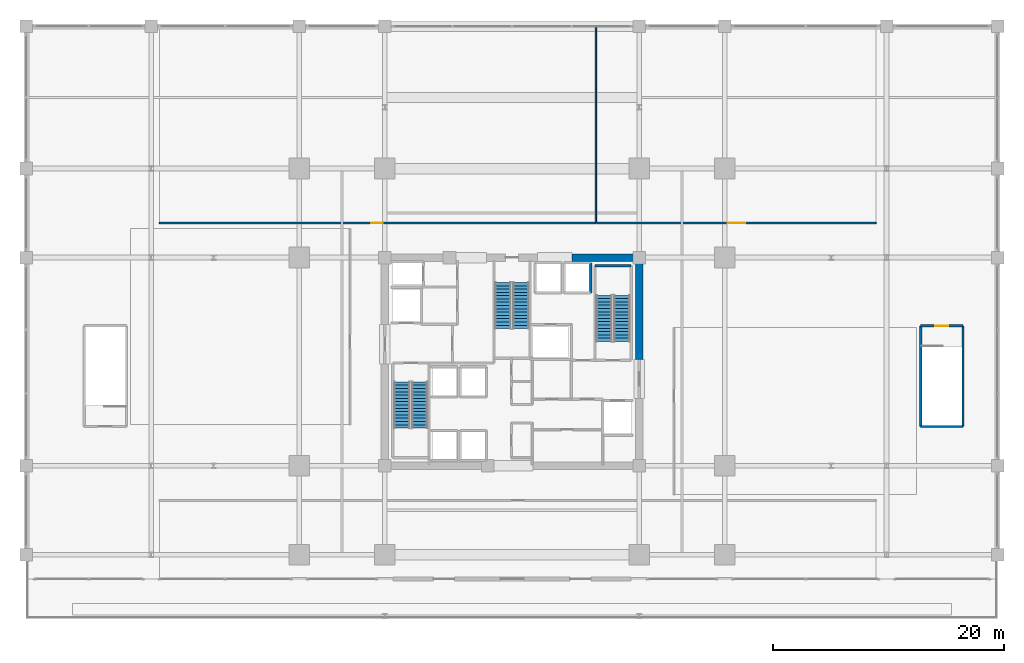
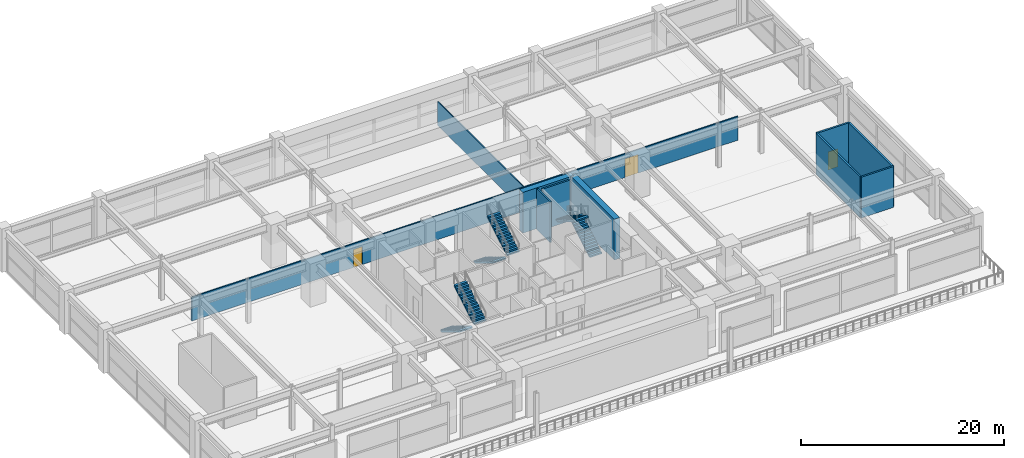
# One storey, part 32 of 35: 11 walls, 6 stair flights, 3 doors, 3 openings, 3 elements without a shape of their own.
"""IFC4 building model written with IfcOpenShell, lengths in metres."""

import ifcopenshell
import ifcopenshell.guid

model = None  # the IFC model being written
_history = None  # IfcOwnerHistory: only IFC2X3 demands one
_inside = {}  # id of a spatial element -> (the spatial element, [elements in it])
_under = {}  # id of a project, library or spatial element -> (it, [spatial elements below it])
_declared = {}  # id of a project -> (the project, [libraries it declares])
_typed = {}  # id of a type object -> (the type object, [elements of that type])
_made_of = {}  # id of a material, layer set ... -> (it, [elements and type objects made of it])


def new_model(schema):
    """Start an empty IFC model of exactly this schema.

    Asked for "IFC4X3", IfcOpenShell would pick the latest addendum, in which some entities
    have other attributes; the version numbers below select the first issue.
    IFC2X3 requires an IfcOwnerHistory on every rooted entity: one is made here for all.
    """
    global model, _history
    if schema == "IFC4X3":
        model = ifcopenshell.file(schema_version=(4, 3, 0, 0))
    else:
        model = ifcopenshell.file(schema=schema)
    _inside.clear()
    _under.clear()
    _declared.clear()
    _typed.clear()
    _made_of.clear()
    _history = None
    if model.schema == "IFC2X3":
        org = make("IfcOrganization", Name="unknown")
        user = make(
            "IfcPersonAndOrganization",
            ThePerson=make("IfcPerson", FamilyName="unknown"),
            TheOrganization=org,
        )
        app = make(
            "IfcApplication",
            ApplicationDeveloper=org,
            Version="unknown",
            ApplicationFullName="unknown",
            ApplicationIdentifier="unknown",
        )
        _history = make(
            "IfcOwnerHistory",
            OwningUser=user,
            OwningApplication=app,
            ChangeAction="ADDED",
            CreationDate=0,
        )
    return model


def make(cls, **values):
    """One entity of the class cls with the attributes given. An attribute that is None is left unset."""
    return model.create_entity(
        cls, **{name: value for name, value in values.items() if value is not None}
    )


def rooted(cls, **values):
    """An entity with a GlobalId (a new one), such as an element, a storey or a relation."""
    return make(cls, GlobalId=ifcopenshell.guid.new(), OwnerHistory=_history, **values)


def si_unit(unit_type, name, prefix=None):
    """IfcSIUnit, for example si_unit("LENGTHUNIT", "METRE", prefix="MILLI")."""
    return make("IfcSIUnit", UnitType=unit_type, Prefix=prefix, Name=name)


def assignment(units):
    """IfcUnitAssignment: the units of a project."""
    return None if units is None else make("IfcUnitAssignment", Units=units)


def point(xyz):
    """IfcCartesianPoint."""
    return None if xyz is None else make("IfcCartesianPoint", Coordinates=xyz)


def direction(xyz):
    """IfcDirection."""
    return None if xyz is None else make("IfcDirection", DirectionRatios=xyz)


def frame(location, z_axis=None, x_axis=None):
    """IfcAxis2Placement3D, a coordinate frame: its origin and axes. An axis left out is left unset."""
    return make(
        "IfcAxis2Placement3D",
        Location=point(location),
        Axis=direction(z_axis),
        RefDirection=direction(x_axis),
    )


def frame_2d(location, x_axis=None):
    """IfcAxis2Placement2D, a coordinate frame in the plane: its origin and x axis."""
    return make(
        "IfcAxis2Placement2D", Location=point(location), RefDirection=direction(x_axis)
    )


def origin():
    """The frame at (0, 0, 0) with its axes left unset."""
    return frame((0.0, 0.0, 0.0))


def place(relative_to, where):
    """IfcLocalPlacement: puts the frame where relative to a parent placement (None: the world)."""
    return make(
        "IfcLocalPlacement", PlacementRelTo=relative_to, RelativePlacement=where
    )


def context(
    kind, dimensions, precision=None, world=None, true_north=None, identifier=None
):
    """IfcGeometricRepresentationContext, for example the 3D "Model" context."""
    return make(
        "IfcGeometricRepresentationContext",
        ContextIdentifier=identifier,
        ContextType=kind,
        CoordinateSpaceDimension=dimensions,
        Precision=precision,
        WorldCoordinateSystem=world,
        TrueNorth=true_north,
    )


def subcontext(parent, identifier, kind, view, scale=None):
    """IfcGeometricRepresentationSubContext, for example "Body" below "Model"."""
    return make(
        "IfcGeometricRepresentationSubContext",
        ContextIdentifier=identifier,
        ContextType=kind,
        ParentContext=parent,
        TargetScale=scale,
        TargetView=view,
    )


def project(units=None, contexts=None):
    """IfcProject with its units and contexts."""
    return rooted(
        "IfcProject",
        Name="project",
        RepresentationContexts=contexts,
        UnitsInContext=assignment(units),
    )


def spatial(cls, under=None, at=None, **own):
    """A site, building, storey or space (cls), placed at a placement, below another one or the project."""
    s = rooted(cls, ObjectPlacement=at, **own)
    if under is not None:
        _under.setdefault(under.id(), (under, []))[1].append(s)
    return s


def polyline(points):
    """IfcPolyline through the points."""
    return make("IfcPolyline", Points=[point(p) for p in points])


def profile(cls, at=None, kind="AREA", **sizes):
    """A parametric profile (cls). Its sizes go by their IFC names, for example OverallWidth=200.0."""
    return make(cls, ProfileType=kind, Position=at, **sizes)


def rectangle(**sizes):
    """IfcRectangleProfileDef."""
    return profile("IfcRectangleProfileDef", **sizes)


def outline(outer, holes=None, kind="AREA"):
    """IfcArbitraryClosedProfileDef: a profile drawn as a closed curve; with holes, ...WithVoids."""
    if holes is None:
        return make("IfcArbitraryClosedProfileDef", ProfileType=kind, OuterCurve=outer)
    return make(
        "IfcArbitraryProfileDefWithVoids",
        ProfileType=kind,
        OuterCurve=outer,
        InnerCurves=holes,
    )


def extrude(swept, where, along, depth):
    """IfcExtrudedAreaSolid: the profile swept, set in the frame where, extruded along a direction by depth."""
    return make(
        "IfcExtrudedAreaSolid",
        SweptArea=swept,
        Position=where,
        ExtrudedDirection=direction(along),
        Depth=depth,
    )


def shape(context_of_items, identifier, shape_type, items):
    """IfcShapeRepresentation: the items that make up one representation, for example the "Body"."""
    return make(
        "IfcShapeRepresentation",
        ContextOfItems=context_of_items,
        RepresentationIdentifier=identifier,
        RepresentationType=shape_type,
        Items=items,
    )


def material(Name=None, Category=None):
    """IfcMaterial."""
    return make("IfcMaterial", Name=Name, Category=Category)


def layer(
    of_material, thickness, ventilated=None, Name=None, Category=None, Priority=None
):
    """IfcMaterialLayer: one layer of a wall or slab, of a material (None: an air gap)."""
    return make(
        "IfcMaterialLayer",
        Material=of_material,
        LayerThickness=thickness,
        IsVentilated=ventilated,
        Name=Name,
        Category=Category,
        Priority=Priority,
    )


def layer_set(layers, Name=None):
    """IfcMaterialLayerSet."""
    return make("IfcMaterialLayerSet", MaterialLayers=layers, LayerSetName=Name)


def made_of(thing, what):
    """Note that an element or type object is made of a material, layer set ...; save() writes the relation."""
    if what is not None:
        _made_of.setdefault(what.id(), (what, []))[1].append(thing)
    return thing


def type_object(cls, material=None, **own):
    """A type object (cls), such as IfcWallType, which elements share."""
    return made_of(rooted(cls, **own), material)


def element(
    cls,
    number,
    at=None,
    inside=None,
    cuts=None,
    type_object=None,
    material=None,
    context=None,
    identifier="Body",
    shape_type=None,
    held_by="IfcProductDefinitionShape",
    body=None,
    shapes=None,
    **own,
):
    """One element of the class cls, such as IfcWall. Its Tag is "e" and its number.

    at: its placement. inside: the storey or other place that contains it. cuts: it is an
    opening in that element (IfcRelVoidsElement). A single representation is given by context,
    identifier, shape_type and body (its items); several are given by shapes. held_by: the class
    of the entity that holds the representations. save() writes the other relations.
    """
    e = rooted(cls, Tag="e%d" % number, ObjectPlacement=at, **own)
    if body is not None:
        shapes = [shape(context, identifier, shape_type, body)]
    if shapes is not None:
        e.Representation = make(held_by, Representations=shapes)
    if inside is not None:
        _inside.setdefault(inside.id(), (inside, []))[1].append(e)
    if cuts is not None:
        rooted(
            "IfcRelVoidsElement", RelatingBuildingElement=cuts, RelatedOpeningElement=e
        )
    if type_object is not None:
        _typed.setdefault(type_object.id(), (type_object, []))[1].append(e)
    return made_of(e, material)


def fill(opening, filler):
    """IfcRelFillsElement: the door or window that sits in an opening."""
    return rooted(
        "IfcRelFillsElement",
        RelatingOpeningElement=opening,
        RelatedBuildingElement=filler,
    )


def aggregate(whole, parts):
    """IfcRelAggregates: a whole, such as a stair, and the parts it consists of."""
    return rooted("IfcRelAggregates", RelatingObject=whole, RelatedObjects=parts)


def save(model, path):
    """Write the relations noted so far, then the file.

    IfcRelAggregates (storeys below a building ...), IfcRelContainedInSpatialStructure (elements
    in a storey), IfcRelDefinesByType, IfcRelAssociatesMaterial and IfcRelDeclares: one each for
    every whole, place, type object, material and project.
    """
    for whole, parts in _under.values():
        aggregate(whole, parts)
    for where, things in _inside.values():
        rooted(
            "IfcRelContainedInSpatialStructure",
            RelatedElements=things,
            RelatingStructure=where,
        )
    for kind, things in _typed.values():
        rooted("IfcRelDefinesByType", RelatedObjects=things, RelatingType=kind)
    for what, things in _made_of.values():
        rooted("IfcRelAssociatesMaterial", RelatedObjects=things, RelatingMaterial=what)
    for by, libraries in _declared.values():
        rooted("IfcRelDeclares", RelatingContext=by, RelatedDefinitions=libraries)
    model.write(path)


model = new_model("IFC4")

# Units and contexts
model_context = context("Model", 3, precision=1e-05, world=origin(), true_north=direction((0.0, 1.0)))
body_context = subcontext(model_context, "Body", "Model", "MODEL_VIEW")
ifc_project = project(units=[si_unit("LENGTHUNIT", "METRE"), si_unit("AREAUNIT", "SQUARE_METRE"), si_unit("VOLUMEUNIT", "CUBIC_METRE"), si_unit("PLANEANGLEUNIT", "RADIAN"), si_unit("MASSUNIT", "GRAM", prefix="KILO")], contexts=[model_context])

# Site, building, storey
site_placement = place(None, origin())
site = spatial("IfcSite", under=ifc_project, at=site_placement, CompositionType="ELEMENT")
building_placement = place(site_placement, origin())
building = spatial("IfcBuilding", under=site, at=building_placement, Name="Kovane Verandah Tower", CompositionType="ELEMENT")
storey_placement = place(building_placement, frame((0.0, 0.0, 16.39990234375)))
storey = spatial("IfcBuildingStorey", under=building, at=storey_placement, Name="L03", CompositionType="ELEMENT", Elevation=16.39990234375)

# Wall, opening, door
ifc_material_1 = material(Name="Fire-Rated Gypsum Stud Partition", Category="gypsum")
ifc_layer_1 = layer(ifc_material_1, 0.14990234375)
ifc_layer_set_1 = layer_set([ifc_layer_1], Name="Fire-Rated Gypsum Stud Partition")
wall_type_1 = type_object("IfcWallType", Name="WL-COR-150", PredefinedType="PARTITIONING", material=ifc_layer_set_1)
wall_1_placement = place(storey_placement, frame((9.5, 39.5, 0.0), z_axis=(0.0, 0.0, 1.0), x_axis=(1.0, 0.0, 0.0)))
wall_1 = element("IfcWall", 1, at=wall_1_placement, inside=storey, type_object=wall_type_1, Name="L03 North Conference Centre Corridor Partition", PredefinedType="PARTITIONING", context=body_context, shape_type="SweptSolid", body=[
    extrude(rectangle(XDim=37.75, YDim=0.14990234375, at=frame_2d((18.875, 0.0))), origin(), (0.0, 0.0, 1.0), 2.85009765625),
])
opening_1_placement = place(wall_1_placement, frame((18.340087890625, 0.0, 0.0)))
opening_1 = element("IfcOpeningElement", 2, at=opening_1_placement, cuts=wall_1, Name="Opening DR-L03-018", PredefinedType="OPENING", context=body_context, shape_type="SweptSolid", body=[
    extrude(rectangle(XDim=1.0, YDim=2.14990234375, at=frame_2d((0.5, 1.074951171875))), frame((0.0, 0.074951171875, 0.0), z_axis=(0.0, -1.0, 0.0), x_axis=(1.0, 0.0, 0.0)), (0.0, 0.0, 1.0), 0.14990234375),
])
ifc_material_2 = material(Name="FSC Spotted-Gum Timber Fire-Rated Office Door", Category="wood")
door_type_1 = type_object("IfcDoorType", Name="DR-OFF-1000", OperationType="SINGLE_SWING_LEFT", PredefinedType="DOOR", material=ifc_material_2)
door_1_placement = place(opening_1_placement, origin())
door_1 = element("IfcDoor", 3, at=door_1_placement, inside=storey, type_object=door_type_1, Name="L03 North Conference Centre Entrance Door", OperationType="SINGLE_SWING_RIGHT", OverallHeight=2.14990234375, OverallWidth=1.0, PredefinedType="DOOR", context=body_context, shape_type="SweptSolid", body=[
    extrude(rectangle(XDim=1.0, YDim=2.14990234375, at=frame_2d((0.5, 1.074951171875))), frame((0.0, 0.02490234375, 0.0), z_axis=(0.0, -1.0, 0.0), x_axis=(1.0, 0.0, 0.0)), (0.0, 0.0, 1.0), 0.050048828125),
])
fill(opening_1, door_1)

wall_2_placement = place(storey_placement, frame((47.320068359375, 39.5, 0.0), z_axis=(0.0, 0.0, 1.0), x_axis=(1.0, 0.0, 0.0)))
wall_2 = element("IfcWall", 4, at=wall_2_placement, inside=storey, type_object=wall_type_1, Name="L03 Executive Seminar Auditorium Corridor Partition", PredefinedType="PARTITIONING", context=body_context, shape_type="SweptSolid", body=[
    extrude(rectangle(XDim=24.179931640625, YDim=0.14990234375, at=frame_2d((12.08984375, 0.0))), origin(), (0.0, 0.0, 1.0), 2.85009765625),
])
opening_2_placement = place(wall_2_placement, frame((11.340087890625, 0.0, 0.0)))
opening_2 = element("IfcOpeningElement", 5, at=opening_2_placement, cuts=wall_2, Name="Opening DR-L03-019", PredefinedType="OPENING", context=body_context, shape_type="SweptSolid", body=[
    extrude(rectangle(XDim=1.5, YDim=2.25, at=frame_2d((0.75, 1.125))), frame((0.0, 0.074951171875, 0.0), z_axis=(0.0, -1.0, 0.0), x_axis=(1.0, 0.0, 0.0)), (0.0, 0.0, 1.0), 0.14990234375),
])
ifc_material_3 = material(Name="Glazed Timber Fire-Rated Double Door", Category="wood")
door_type_2 = type_object("IfcDoorType", Name="DR-CONF-1500", OperationType="DOUBLE_DOOR_SINGLE_SWING", PredefinedType="DOOR", material=ifc_material_3)
door_2_placement = place(opening_2_placement, origin())
door_2 = element("IfcDoor", 6, at=door_2_placement, inside=storey, type_object=door_type_2, Name="L03 Executive Seminar Auditorium Entrance Door", OperationType="DOUBLE_DOOR_SINGLE_SWING", OverallHeight=2.25, OverallWidth=1.5, PredefinedType="DOOR", context=body_context, shape_type="SweptSolid", body=[
    extrude(rectangle(XDim=1.5, YDim=2.25, at=frame_2d((0.75, 1.125))), frame((0.0, 0.02490234375, 0.0), z_axis=(0.0, -1.0, 0.0), x_axis=(1.0, 0.0, 0.0)), (0.0, 0.0, 1.0), 0.050048828125),
])
fill(opening_2, door_2)

# Walls
ifc_material_4 = material(Name="Concrete C80/95", Category="concrete")
ifc_layer_2 = layer(ifc_material_4, 0.64990234375)
ifc_layer_set_2 = layer_set([ifc_layer_2], Name="Concrete C80/95")
wall_type_2 = type_object("IfcWallType", Name="WL-CORE-650", PredefinedType="SHEAR", material=ifc_layer_set_2)
wall_3_placement = place(storey_placement, frame((45.199951171875, 36.5, 0.0), z_axis=(0.0, 0.0, 1.0), x_axis=(1.0, 0.0, 0.0)))
element("IfcWall", 7, at=wall_3_placement, inside=storey, type_object=wall_type_2, Name="L03 Core Shear Wall CN-3", PredefinedType="SHEAR", context=body_context, shape_type="SweptSolid", body=[
    extrude(rectangle(XDim=5.800048828125, YDim=0.64990234375, at=frame_2d((2.89990234375, 0.0))), origin(), (0.0, 0.0, 1.0), 4.900146484375),
])
wall_4_placement = place(storey_placement, frame((51.0, 27.699951171875, 0.0), z_axis=(0.0, 0.0, 1.0), x_axis=(0.0, 1.0, 0.0)))
element("IfcWall", 8, at=wall_4_placement, inside=storey, type_object=wall_type_2, Name="L03 Core Shear Wall CE-2", PredefinedType="SHEAR", context=body_context, shape_type="SweptSolid", body=[
    extrude(rectangle(XDim=8.800048828125, YDim=0.64990234375, at=frame_2d((4.39990234375, 0.0))), origin(), (0.0, 0.0, 1.0), 4.900146484375),
])
ifc_material_5 = material(Name="Concrete C45/55 Lift Shaft Wall", Category="concrete")
ifc_layer_3 = layer(ifc_material_5, 0.199951171875)
ifc_layer_set_3 = layer_set([ifc_layer_3], Name="Concrete C45/55 Lift Shaft Wall")
wall_type_3 = type_object("IfcWallType", Name="WL-LIFT-200", PredefinedType="SOLIDWALL", material=ifc_layer_set_3)
wall_5_placement = place(storey_placement, frame((46.800048828125, 33.449951171875, 0.0), z_axis=(0.0, 0.0, 1.0), x_axis=(0.0, 1.0, 0.0)))
element("IfcWall", 9, at=wall_5_placement, inside=storey, type_object=wall_type_3, Name="L03 Lift OL-01 E Shaft Wall", PredefinedType="SOLIDWALL", context=body_context, shape_type="SweptSolid", body=[
    extrude(rectangle(XDim=2.60009765625, YDim=0.199951171875, at=frame_2d((1.300048828125, 0.0))), origin(), (0.0, 0.0, 1.0), 4.900146484375),
])
ifc_material_6 = material(Name="Acoustic Fire-Rated Gypsum Partition", Category="gypsum")
ifc_layer_4 = layer(ifc_material_6, 0.1201171875)
ifc_layer_set_4 = layer_set([ifc_layer_4], Name="Acoustic Fire-Rated Gypsum Partition")
wall_type_4 = type_object("IfcWallType", Name="WL-PART-120", PredefinedType="PARTITIONING", material=ifc_layer_set_4)
wall_6_placement = place(storey_placement, frame((47.25, 39.5, 0.0), z_axis=(0.0, 0.0, 1.0), x_axis=(0.0, 1.0, 0.0)))
element("IfcWall", 10, at=wall_6_placement, inside=storey, type_object=wall_type_4, Name="L03 North Conference Centre Dividing Partition", PredefinedType="PARTITIONING", context=body_context, shape_type="SweptSolid", body=[
    extrude(rectangle(XDim=16.89990234375, YDim=0.1201171875, at=frame_2d((8.449951171875, 0.0))), origin(), (0.0, 0.0, 1.0), 2.85009765625),
])
ifc_material_7 = material(Name="Concrete C45/55", Category="concrete")
ifc_layer_5 = layer(ifc_material_7, 0.199951171875)
ifc_layer_set_5 = layer_set([ifc_layer_5], Name="Concrete C45/55")
wall_type_5 = type_object("IfcWallType", Name="WL-SHAFT-200", PredefinedType="SOLIDWALL", material=ifc_layer_set_5)
wall_7_placement = place(storey_placement, frame((47.179931640625, 35.800048828125, 0.0), z_axis=(0.0, 0.0, 1.0), x_axis=(1.0, 0.0, 0.0)))
element("IfcWall", 11, at=wall_7_placement, inside=storey, type_object=wall_type_5, Name="W-L03-ST02-N", PredefinedType="SOLIDWALL", context=body_context, shape_type="SweptSolid", body=[
    extrude(rectangle(XDim=3.1201171875, YDim=0.199951171875, at=frame_2d((1.56005859375, 0.0))), origin(), (0.0, 0.0, 1.0), 4.900146484375),
])
for number, where, z_axis, x_axis, name in (
    (12, (75.340087890625, 21.89990234375, 0.0), (0.0, 0.0, 1.0), (0.0, 1.0, 0.0), "W-L03-ST-05-W"),
    (13, (79.0, 21.89990234375, 0.0), (0.0, 0.0, 1.0), (0.0, 1.0, 0.0), "W-L03-ST-05-E"),
):
    element("IfcWall", number, at=place(storey_placement, frame(where, z_axis=z_axis, x_axis=x_axis)), inside=storey, type_object=wall_type_5, Name=name, PredefinedType="SOLIDWALL", context=body_context, shape_type="SweptSolid", body=[
        extrude(rectangle(XDim=8.7001953125, YDim=0.199951171875, at=frame_2d((4.35009765625, 0.0))), origin(), (0.0, 0.0, 1.0), 4.900146484375),
    ])

# Wall, opening, door
wall_8_placement = place(storey_placement, frame((75.340087890625, 30.60009765625, 0.0), z_axis=(0.0, 0.0, 1.0), x_axis=(1.0, 0.0, 0.0)))
wall_8 = element("IfcWall", 14, at=wall_8_placement, inside=storey, type_object=wall_type_5, Name="W-L03-ST-05-N", PredefinedType="SOLIDWALL", context=body_context, shape_type="SweptSolid", body=[
    extrude(rectangle(XDim=3.659912109375, YDim=0.199951171875, at=frame_2d((1.830078125, 0.0))), origin(), (0.0, 0.0, 1.0), 4.900146484375),
])
opening_3_placement = place(wall_8_placement, frame((1.280029296875, 0.0, 0.0)))
opening_3 = element("IfcOpeningElement", 15, at=opening_3_placement, cuts=wall_8, Name="Opening DR-L03-011", PredefinedType="OPENING", context=body_context, shape_type="SweptSolid", body=[
    extrude(rectangle(XDim=1.10009765625, YDim=2.14990234375, at=frame_2d((0.550048828125, 1.074951171875))), frame((0.0, 0.10009765625, 0.0), z_axis=(0.0, -1.0, 0.0), x_axis=(1.0, 0.0, 0.0)), (0.0, 0.0, 1.0), 0.199951171875),
])
ifc_material_8 = material(Name="Fire-Rated Steel Exit Door", Category="steel")
door_type_3 = type_object("IfcDoorType", Name="DR-STAIR-1100", OperationType="SINGLE_SWING_LEFT", PredefinedType="DOOR", material=ifc_material_8)
door_3_placement = place(opening_3_placement, origin())
door_3 = element("IfcDoor", 16, at=door_3_placement, inside=storey, type_object=door_type_3, Name="L03 ST-05 Fire Exit Stair Door", OperationType="SINGLE_SWING_RIGHT", OverallHeight=2.14990234375, OverallWidth=1.10009765625, PredefinedType="DOOR", context=body_context, shape_type="SweptSolid", body=[
    extrude(rectangle(XDim=1.10009765625, YDim=2.14990234375, at=frame_2d((0.550048828125, 1.074951171875))), frame((0.0, 0.02490234375, 0.0), z_axis=(0.0, -1.0, 0.0), x_axis=(1.0, 0.0, 0.0)), (0.0, 0.0, 1.0), 0.050048828125),
])
fill(opening_3, door_3)

# Wall
wall_9_placement = place(storey_placement, frame((75.340087890625, 21.89990234375, 0.0), z_axis=(0.0, 0.0, 1.0), x_axis=(1.0, 0.0, 0.0)))
element("IfcWall", 17, at=wall_9_placement, inside=storey, type_object=wall_type_5, Name="W-L03-ST-05-S", PredefinedType="SOLIDWALL", context=body_context, shape_type="SweptSolid", body=[
    extrude(rectangle(XDim=3.659912109375, YDim=0.199951171875, at=frame_2d((1.830078125, 0.0))), origin(), (0.0, 0.0, 1.0), 4.900146484375),
])

# Stair, stair flights
stair_type = type_object("IfcStairType", Name="ST-CORE-1380", PredefinedType="HALF_TURN_STAIR", material=ifc_material_7)
stair_1_placement = place(storey_placement, origin())
stair_1 = element("IfcStair", 18, at=stair_1_placement, inside=storey, type_object=stair_type, Name="L03 Exit Stair ST-01", PredefinedType="HALF_TURN_STAIR")
stair_flight_type = type_object("IfcStairFlightType", Name="STF-CORE-1380", PredefinedType="STRAIGHT", material=ifc_material_7)
stair_flight_1_placement = place(storey_placement, frame((30.489990234375, 25.75, 0.0), z_axis=(0.0, 0.0, 1.0), x_axis=(0.0, -1.0, 0.0)))
stair_flight_1 = element("IfcStairFlight", 19, at=stair_flight_1_placement, type_object=stair_flight_type, Name="ST-01 flight 1", NumberOfRisers=15, NumberOfTreads=14, PredefinedType="STRAIGHT", RiserHeight=0.173333333, TreadLength=0.285, context=body_context, shape_type="SweptSolid", body=[
    extrude(outline(polyline([(0.0, 0.0), (0.0, 0.17333984375), (0.284912109375, 0.17333984375), (0.284912109375, 0.3466796875), (0.570068359375, 0.3466796875), (0.570068359375, 0.52001953125), (0.85498046875, 0.52001953125), (0.85498046875, 0.693359375), (1.139892578125, 0.693359375), (1.139892578125, 0.86669921875), (1.425048828125, 0.86669921875), (1.425048828125, 1.0400390625), (1.7099609375, 1.0400390625), (1.7099609375, 1.21337890625), (1.9951171875, 1.21337890625), (1.9951171875, 1.38671875), (2.280029296875, 1.38671875), (2.280029296875, 1.56005859375), (2.56494140625, 1.56005859375), (2.56494140625, 1.7333984375), (2.85009765625, 1.7333984375), (2.85009765625, 1.90673828125), (3.135009765625, 1.90673828125), (3.135009765625, 2.080078125), (3.419921875, 2.080078125), (3.419921875, 2.25341796875), (3.705078125, 2.25341796875), (3.705078125, 2.4267578125), (3.989990234375, 2.4267578125), (3.989990234375, 2.60009765625), (3.989990234375, 2.251220703125), (0.28857421875, 0.0), (0.0, 0.0)])), frame((0.0, 0.68994140625, 0.0), z_axis=(0.0, -1.0, 0.0), x_axis=(1.0, 0.0, 0.0)), (0.0, 0.0, 1.0), 1.3798828125),
])
stair_flight_2_placement = place(storey_placement, frame((32.030029296875, 21.760009765625, 2.60009765625), z_axis=(0.0, 0.0, 1.0), x_axis=(0.0, 1.0, 0.0)))
stair_flight_2 = element("IfcStairFlight", 20, at=stair_flight_2_placement, type_object=stair_flight_type, Name="ST-01 flight 2", NumberOfRisers=15, NumberOfTreads=14, PredefinedType="STRAIGHT", RiserHeight=0.173333333, TreadLength=0.285, context=body_context, shape_type="SweptSolid", body=[
    extrude(outline(polyline([(0.0, 0.0), (0.0, 0.17333984375), (0.284912109375, 0.17333984375), (0.284912109375, 0.3466796875), (0.570068359375, 0.3466796875), (0.570068359375, 0.52001953125), (0.85498046875, 0.52001953125), (0.85498046875, 0.693359375), (1.139892578125, 0.693359375), (1.139892578125, 0.86669921875), (1.425048828125, 0.86669921875), (1.425048828125, 1.0400390625), (1.7099609375, 1.0400390625), (1.7099609375, 1.21337890625), (1.9951171875, 1.21337890625), (1.9951171875, 1.38671875), (2.280029296875, 1.38671875), (2.280029296875, 1.56005859375), (2.56494140625, 1.56005859375), (2.56494140625, 1.7333984375), (2.85009765625, 1.7333984375), (2.85009765625, 1.90673828125), (3.135009765625, 1.90673828125), (3.135009765625, 2.080078125), (3.419921875, 2.080078125), (3.419921875, 2.25341796875), (3.705078125, 2.25341796875), (3.705078125, 2.4267578125), (3.989990234375, 2.4267578125), (3.989990234375, 2.60009765625), (3.989990234375, 2.251220703125), (0.28857421875, 0.0), (0.0, 0.0)])), frame((0.0, 0.68994140625, 0.0), z_axis=(0.0, -1.0, 0.0), x_axis=(1.0, 0.0, 0.0)), (0.0, 0.0, 1.0), 1.3798828125),
])
aggregate(stair_1, [stair_flight_1, stair_flight_2])

stair_2_placement = place(storey_placement, origin())
stair_2 = element("IfcStair", 21, at=stair_2_placement, inside=storey, type_object=stair_type, Name="L03 Exit Stair ST-02", PredefinedType="HALF_TURN_STAIR")
stair_flight_3_placement = place(storey_placement, frame((49.510009765625, 29.25, 0.0), z_axis=(0.0, 0.0, 1.0), x_axis=(0.0, 1.0, 0.0)))
stair_flight_3 = element("IfcStairFlight", 22, at=stair_flight_3_placement, type_object=stair_flight_type, Name="ST-02 flight 1", NumberOfRisers=15, NumberOfTreads=14, PredefinedType="STRAIGHT", RiserHeight=0.173333333, TreadLength=0.285, context=body_context, shape_type="SweptSolid", body=[
    extrude(outline(polyline([(0.0, 0.0), (0.0, 0.17333984375), (0.284912109375, 0.17333984375), (0.284912109375, 0.3466796875), (0.570068359375, 0.3466796875), (0.570068359375, 0.52001953125), (0.85498046875, 0.52001953125), (0.85498046875, 0.693359375), (1.139892578125, 0.693359375), (1.139892578125, 0.86669921875), (1.425048828125, 0.86669921875), (1.425048828125, 1.0400390625), (1.7099609375, 1.0400390625), (1.7099609375, 1.21337890625), (1.9951171875, 1.21337890625), (1.9951171875, 1.38671875), (2.280029296875, 1.38671875), (2.280029296875, 1.56005859375), (2.56494140625, 1.56005859375), (2.56494140625, 1.7333984375), (2.85009765625, 1.7333984375), (2.85009765625, 1.90673828125), (3.135009765625, 1.90673828125), (3.135009765625, 2.080078125), (3.419921875, 2.080078125), (3.419921875, 2.25341796875), (3.705078125, 2.25341796875), (3.705078125, 2.4267578125), (3.989990234375, 2.4267578125), (3.989990234375, 2.60009765625), (3.989990234375, 2.251220703125), (0.28857421875, 0.0), (0.0, 0.0)])), frame((0.0, 0.68994140625, 0.0), z_axis=(0.0, -1.0, 0.0), x_axis=(1.0, 0.0, 0.0)), (0.0, 0.0, 1.0), 1.3798828125),
])
stair_flight_4_placement = place(storey_placement, frame((47.969970703125, 33.239990234375, 2.60009765625), z_axis=(0.0, 0.0, 1.0), x_axis=(0.0, -1.0, 0.0)))
stair_flight_4 = element("IfcStairFlight", 23, at=stair_flight_4_placement, type_object=stair_flight_type, Name="ST-02 flight 2", NumberOfRisers=15, NumberOfTreads=14, PredefinedType="STRAIGHT", RiserHeight=0.173333333, TreadLength=0.285, context=body_context, shape_type="SweptSolid", body=[
    extrude(outline(polyline([(0.0, 0.0), (0.0, 0.17333984375), (0.284912109375, 0.17333984375), (0.284912109375, 0.3466796875), (0.570068359375, 0.3466796875), (0.570068359375, 0.52001953125), (0.85498046875, 0.52001953125), (0.85498046875, 0.693359375), (1.139892578125, 0.693359375), (1.139892578125, 0.86669921875), (1.425048828125, 0.86669921875), (1.425048828125, 1.0400390625), (1.7099609375, 1.0400390625), (1.7099609375, 1.21337890625), (1.9951171875, 1.21337890625), (1.9951171875, 1.38671875), (2.280029296875, 1.38671875), (2.280029296875, 1.56005859375), (2.56494140625, 1.56005859375), (2.56494140625, 1.7333984375), (2.85009765625, 1.7333984375), (2.85009765625, 1.90673828125), (3.135009765625, 1.90673828125), (3.135009765625, 2.080078125), (3.419921875, 2.080078125), (3.419921875, 2.25341796875), (3.705078125, 2.25341796875), (3.705078125, 2.4267578125), (3.989990234375, 2.4267578125), (3.989990234375, 2.60009765625), (3.989990234375, 2.251220703125), (0.28857421875, 0.0), (0.0, 0.0)])), frame((0.0, 0.68994140625, 0.0), z_axis=(0.0, -1.0, 0.0), x_axis=(1.0, 0.0, 0.0)), (0.0, 0.0, 1.0), 1.3798828125),
])
aggregate(stair_2, [stair_flight_3, stair_flight_4])

stair_3_placement = place(storey_placement, origin())
stair_3 = element("IfcStair", 24, at=stair_3_placement, inside=storey, type_object=stair_type, Name="L03 Exit Stair ST-03", PredefinedType="HALF_TURN_STAIR")
stair_flight_5_placement = place(storey_placement, frame((39.22998046875, 34.35009765625, 0.0), z_axis=(0.0, 0.0, 1.0), x_axis=(0.0, -1.0, 0.0)))
stair_flight_5 = element("IfcStairFlight", 25, at=stair_flight_5_placement, type_object=stair_flight_type, Name="ST-03 flight 1", NumberOfRisers=15, NumberOfTreads=14, PredefinedType="STRAIGHT", RiserHeight=0.173333333, TreadLength=0.285, context=body_context, shape_type="SweptSolid", body=[
    extrude(outline(polyline([(0.0, 0.0), (0.0, 0.17333984375), (0.284912109375, 0.17333984375), (0.284912109375, 0.3466796875), (0.570068359375, 0.3466796875), (0.570068359375, 0.52001953125), (0.85498046875, 0.52001953125), (0.85498046875, 0.693359375), (1.139892578125, 0.693359375), (1.139892578125, 0.86669921875), (1.425048828125, 0.86669921875), (1.425048828125, 1.0400390625), (1.7099609375, 1.0400390625), (1.7099609375, 1.21337890625), (1.9951171875, 1.21337890625), (1.9951171875, 1.38671875), (2.280029296875, 1.38671875), (2.280029296875, 1.56005859375), (2.56494140625, 1.56005859375), (2.56494140625, 1.7333984375), (2.85009765625, 1.7333984375), (2.85009765625, 1.90673828125), (3.135009765625, 1.90673828125), (3.135009765625, 2.080078125), (3.419921875, 2.080078125), (3.419921875, 2.25341796875), (3.705078125, 2.25341796875), (3.705078125, 2.4267578125), (3.989990234375, 2.4267578125), (3.989990234375, 2.60009765625), (3.989990234375, 2.251220703125), (0.28857421875, 0.0), (0.0, 0.0)])), frame((0.0, 0.68994140625, 0.0), z_axis=(0.0, -1.0, 0.0), x_axis=(1.0, 0.0, 0.0)), (0.0, 0.0, 1.0), 1.3798828125),
])
stair_flight_6_placement = place(storey_placement, frame((40.77001953125, 30.360107421875, 2.60009765625), z_axis=(0.0, 0.0, 1.0), x_axis=(0.0, 1.0, 0.0)))
stair_flight_6 = element("IfcStairFlight", 26, at=stair_flight_6_placement, type_object=stair_flight_type, Name="ST-03 flight 2", NumberOfRisers=15, NumberOfTreads=14, PredefinedType="STRAIGHT", RiserHeight=0.173333333, TreadLength=0.285, context=body_context, shape_type="SweptSolid", body=[
    extrude(outline(polyline([(0.0, 0.0), (0.0, 0.17333984375), (0.284912109375, 0.17333984375), (0.284912109375, 0.3466796875), (0.570068359375, 0.3466796875), (0.570068359375, 0.52001953125), (0.85498046875, 0.52001953125), (0.85498046875, 0.693359375), (1.139892578125, 0.693359375), (1.139892578125, 0.86669921875), (1.425048828125, 0.86669921875), (1.425048828125, 1.0400390625), (1.7099609375, 1.0400390625), (1.7099609375, 1.21337890625), (1.9951171875, 1.21337890625), (1.9951171875, 1.38671875), (2.280029296875, 1.38671875), (2.280029296875, 1.56005859375), (2.56494140625, 1.56005859375), (2.56494140625, 1.7333984375), (2.85009765625, 1.7333984375), (2.85009765625, 1.90673828125), (3.135009765625, 1.90673828125), (3.135009765625, 2.080078125), (3.419921875, 2.080078125), (3.419921875, 2.25341796875), (3.705078125, 2.25341796875), (3.705078125, 2.4267578125), (3.989990234375, 2.4267578125), (3.989990234375, 2.60009765625), (3.989990234375, 2.251220703125), (0.28857421875, 0.0), (0.0, 0.0)])), frame((0.0, 0.68994140625, 0.0), z_axis=(0.0, -1.0, 0.0), x_axis=(1.0, 0.0, 0.0)), (0.0, 0.0, 1.0), 1.3798828125),
])
aggregate(stair_3, [stair_flight_5, stair_flight_6])

save(model, "model.ifc")
